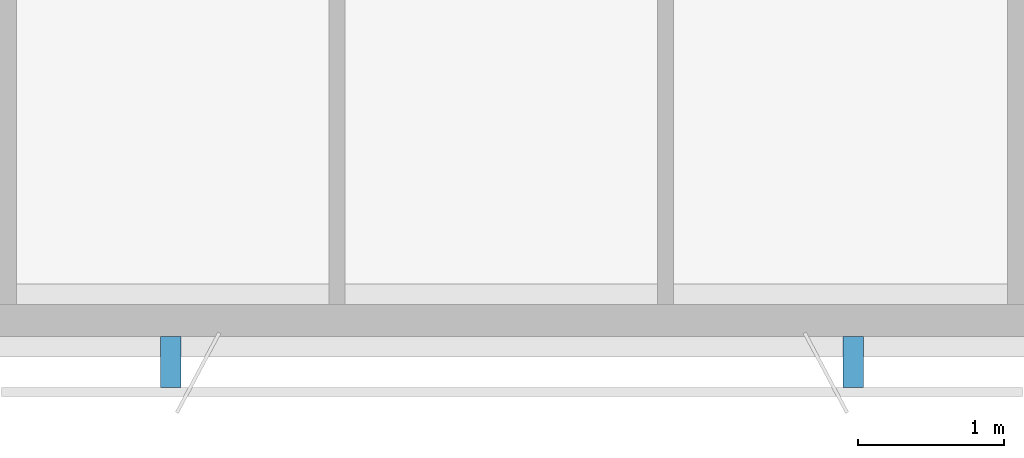
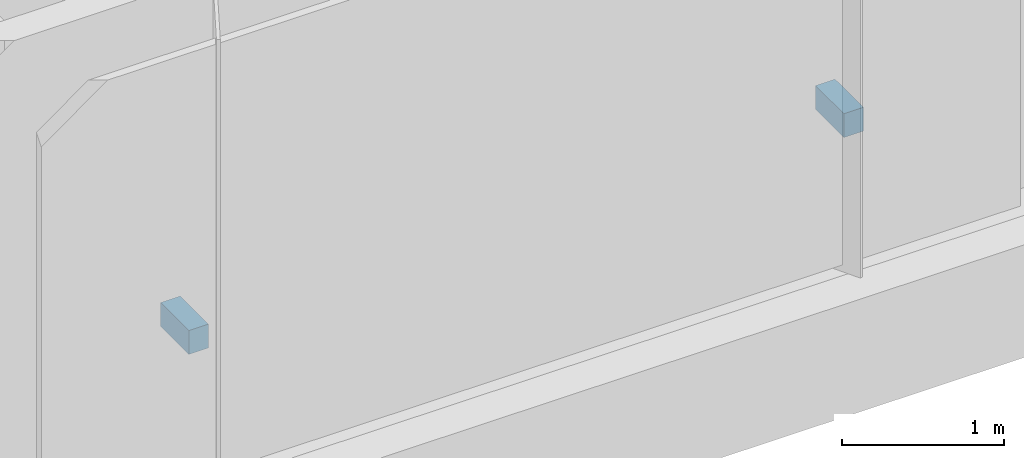
# One storey, part 22 of 28: 2 discrete accessories.
"""IFC4 building model written with IfcOpenShell, lengths in metres."""

from ifc_helpers import new_model, si_unit, direction, frame, origin, origin_2d, place, context, subcontext, project, spatial, rectangle, extrude, material, type_object, element, save


model = new_model("IFC4")

# Units and contexts
model_context = context("Model", 3, precision=1e-05, world=origin(), true_north=direction((0.0, 1.0)))
body_context = subcontext(model_context, "Body", "Model", "MODEL_VIEW")
ifc_project = project(units=[si_unit("LENGTHUNIT", "METRE"), si_unit("AREAUNIT", "SQUARE_METRE"), si_unit("VOLUMEUNIT", "CUBIC_METRE"), si_unit("PLANEANGLEUNIT", "RADIAN"), si_unit("MASSUNIT", "GRAM", prefix="KILO")], contexts=[model_context])

# Site, building, storey
site_placement = place(None, origin())
site = spatial("IfcSite", under=ifc_project, at=site_placement, CompositionType="ELEMENT")
building_placement = place(site_placement, origin())
building = spatial("IfcBuilding", under=site, at=building_placement, Name="Khurvash Pelagic Aquarium", CompositionType="ELEMENT")
storey_placement = place(building_placement, frame((0.0, 0.0, 20.10009765625)))
storey = spatial("IfcBuildingStorey", under=building, at=storey_placement, Name="L04", CompositionType="ELEMENT", Elevation=20.10009765625)

# Discrete accessories
ifc_material = material(Name="Hot-dip galvanised steel S355J2", Category="steel")
discrete_accessory_type = type_object("IfcDiscreteAccessoryType", Name="BK-01", PredefinedType="BRACKET", material=ifc_material)
for number, where, z_axis, x_axis, name in (
    (1, (102.6630859375, 2.31494140625, 1.10986328125), (0.0, 0.0, 1.0), (1.0, 0.0, 0.0), "L04 Jali Screen Support Bracket BK-01 0127"),
    (2, (107.3369140625, 2.31494140625, 1.10986328125), (0.0, 0.0, 1.0), (1.0, 0.0, 0.0), "L04 Jali Screen Support Bracket BK-01 0128"),
):
    element("IfcDiscreteAccessory", number, at=place(storey_placement, frame(where, z_axis=z_axis, x_axis=x_axis)), inside=storey, type_object=discrete_accessory_type, Name=name, PredefinedType="BRACKET", context=body_context, shape_type="SweptSolid", body=[
        extrude(rectangle(XDim=0.139892578125, YDim=0.35009765625, at=origin_2d()), origin(), (0.0, 0.0, 1.0), 0.179931640625),
    ])

save(model, "model.ifc")
